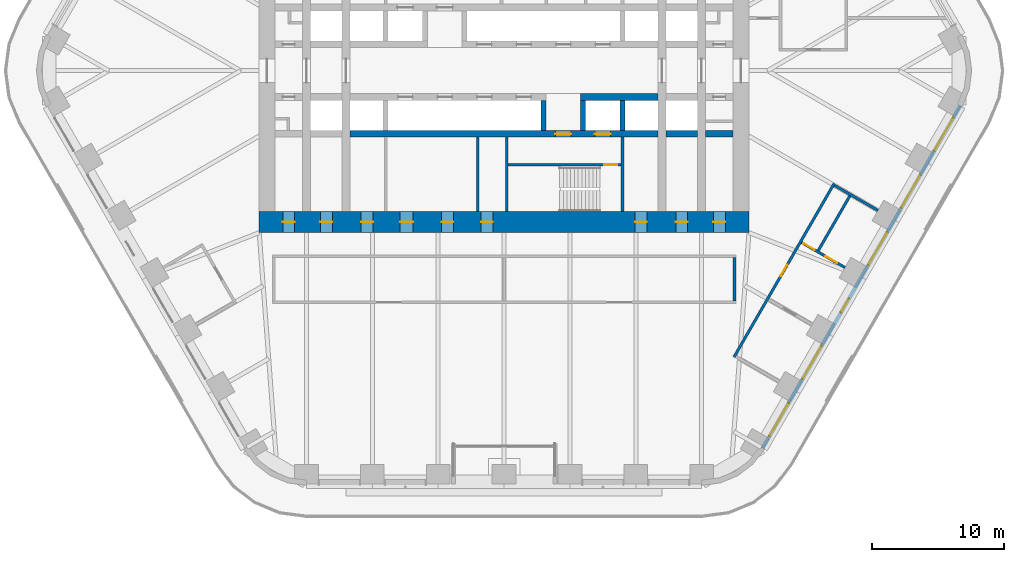
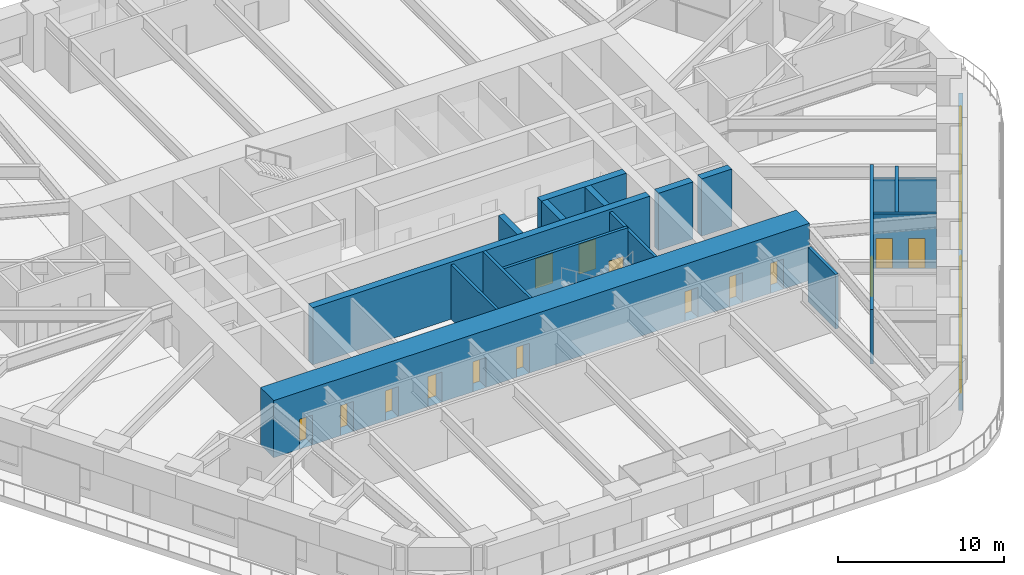
# One storey, part 18 of 24: 18 walls, 16 doors, 5 windows, 21 openings.
"""IFC4 building model written with IfcOpenShell, lengths in metres."""

from ifc_helpers import new_model, si_unit, direction, frame, frame_2d, origin, place, context, subcontext, project, spatial, rectangle, extrude, material, layer, layer_set, type_object, element, fill, save


model = new_model("IFC4")

# Units and contexts
model_context = context("Model", 3, precision=1e-05, world=origin(), true_north=direction((0.0, 1.0)))
body_context = subcontext(model_context, "Body", "Model", "MODEL_VIEW")
ifc_project = project(units=[si_unit("LENGTHUNIT", "METRE"), si_unit("AREAUNIT", "SQUARE_METRE"), si_unit("VOLUMEUNIT", "CUBIC_METRE"), si_unit("PLANEANGLEUNIT", "RADIAN"), si_unit("MASSUNIT", "GRAM", prefix="KILO")], contexts=[model_context])

# Site, building, storey
site_placement = place(None, origin())
site = spatial("IfcSite", under=ifc_project, at=site_placement, CompositionType="ELEMENT")
building_placement = place(site_placement, origin())
building = spatial("IfcBuilding", under=site, at=building_placement, Name="Tarfa Lantern Tower", CompositionType="ELEMENT")
storey_placement = place(building_placement, frame((0.0, 0.0, 132.10009765625)))
storey = spatial("IfcBuildingStorey", under=building, at=storey_placement, Name="L29", CompositionType="ELEMENT", Elevation=132.10009765625)

# Wall, openings, door, windows
ifc_material_1 = material(Name="Limestone cladding on blockwork", Category="masonry")
ifc_layer_1 = layer(ifc_material_1, 0.300048828125)
ifc_layer_set_1 = layer_set([ifc_layer_1], Name="EW1 STONE-CLAD WALL 300")
wall_type_1 = type_object("IfcWallType", Name="EW1 STONE-CLAD WALL 300", PredefinedType="SOLIDWALL", material=ifc_layer_set_1)
wall_1_placement = place(storey_placement, frame((19.644287109375, -28.675048828125, 0.0), z_axis=(0.0, 0.0, 1.0), x_axis=(0.500003084452, 0.866023622968, 0.0)))
wall_1 = element("IfcWall", 1, at=wall_1_placement, inside=storey, type_object=wall_type_1, Name="Stone wall SE", PredefinedType="SOLIDWALL", context=body_context, shape_type="SweptSolid", body=[
    extrude(rectangle(XDim=30.022216796875, YDim=0.300048828125, at=frame_2d((15.01123046875, 0.0))), origin(), (0.0, 0.0, 1.0), 2.2998046875),
])
opening_1_placement = place(wall_1_placement, frame((1.0517578125, 0.0, 0.60009765625)))
opening_1 = element("IfcOpeningElement", 2, at=opening_1_placement, cuts=wall_1, Name="Opening W8", PredefinedType="OPENING", context=body_context, shape_type="SweptSolid", body=[
    extrude(rectangle(XDim=2.89990234375, YDim=1.449951171875, at=frame_2d((1.449951171875, 0.72509765625))), frame((0.0, 0.159912109375, 0.0), z_axis=(0.0, -1.0, 0.0), x_axis=(1.0, 0.0, 0.0)), (0.0, 0.0, 1.0), 0.320068359375),
])
opening_2_placement = place(wall_1_placement, frame((6.0556640625, 0.0, 0.60009765625)))
opening_2 = element("IfcOpeningElement", 3, at=opening_2_placement, cuts=wall_1, Name="Opening W8", PredefinedType="OPENING", context=body_context, shape_type="SweptSolid", body=[
    extrude(rectangle(XDim=2.89990234375, YDim=1.449951171875, at=frame_2d((1.449951171875, 0.72509765625))), frame((0.0, 0.159912109375, 0.0), z_axis=(0.0, -1.0, 0.0), x_axis=(1.0, 0.0, 0.0)), (0.0, 0.0, 1.0), 0.320068359375),
])
opening_3_placement = place(wall_1_placement, frame((11.9091796875, 0.0, 0.0)))
opening_3 = element("IfcOpeningElement", 4, at=opening_3_placement, cuts=wall_1, Name="Opening D49", PredefinedType="OPENING", context=body_context, shape_type="SweptSolid", body=[
    extrude(rectangle(XDim=1.199951171875, YDim=2.199951171875, at=frame_2d((0.60009765625, 1.10009765625))), frame((0.0, 0.159912109375, 0.0), z_axis=(0.0, -1.0, 0.0), x_axis=(1.0, 0.0, 0.0)), (0.0, 0.0, 1.0), 0.320068359375),
])
opening_4_placement = place(wall_1_placement, frame((16.06298828125, 0.0, 0.60009765625)))
opening_4 = element("IfcOpeningElement", 5, at=opening_4_placement, cuts=wall_1, Name="Opening W8", PredefinedType="OPENING", context=body_context, shape_type="SweptSolid", body=[
    extrude(rectangle(XDim=2.89990234375, YDim=1.449951171875, at=frame_2d((1.449951171875, 0.72509765625))), frame((0.0, 0.159912109375, 0.0), z_axis=(0.0, -1.0, 0.0), x_axis=(1.0, 0.0, 0.0)), (0.0, 0.0, 1.0), 0.320068359375),
])
opening_5_placement = place(wall_1_placement, frame((21.066650390625, 0.0, 0.60009765625)))
opening_5 = element("IfcOpeningElement", 6, at=opening_5_placement, cuts=wall_1, Name="Opening W8", PredefinedType="OPENING", context=body_context, shape_type="SweptSolid", body=[
    extrude(rectangle(XDim=2.89990234375, YDim=1.449951171875, at=frame_2d((1.449951171875, 0.72509765625))), frame((0.0, 0.159912109375, 0.0), z_axis=(0.0, -1.0, 0.0), x_axis=(1.0, 0.0, 0.0)), (0.0, 0.0, 1.0), 0.320068359375),
])
opening_6_placement = place(wall_1_placement, frame((26.0703125, 0.0, 0.60009765625)))
opening_6 = element("IfcOpeningElement", 7, at=opening_6_placement, cuts=wall_1, Name="Opening W8", PredefinedType="OPENING", context=body_context, shape_type="SweptSolid", body=[
    extrude(rectangle(XDim=2.89990234375, YDim=1.449951171875, at=frame_2d((1.449951171875, 0.72509765625))), frame((0.0, 0.159912109375, 0.0), z_axis=(0.0, -1.0, 0.0), x_axis=(1.0, 0.0, 0.0)), (0.0, 0.0, 1.0), 0.320068359375),
])
ifc_material_2 = material(Name="Aluminium framed glazed door", Category="aluminium")
door_type_1 = type_object("IfcDoorType", Name="BE5 BALCONY DOOR 1200x2200", OperationType="SINGLE_SWING_RIGHT", PredefinedType="DOOR", material=ifc_material_2)
door_1_placement = place(opening_3_placement, origin())
door_1 = element("IfcDoor", 8, at=door_1_placement, inside=storey, type_object=door_type_1, Name="Balcony door SE", OperationType="SINGLE_SWING_RIGHT", OverallHeight=2.199951171875, OverallWidth=1.199951171875, PredefinedType="DOOR", context=body_context, shape_type="SweptSolid", body=[
    extrude(rectangle(XDim=1.199951171875, YDim=2.199951171875, at=frame_2d((0.60009765625, 1.10009765625))), frame((0.0, 0.02490234375, 0.0), z_axis=(0.0, -1.0, 0.0), x_axis=(1.0, 0.0, 0.0)), (0.0, 0.0, 1.0), 0.050048828125),
])
fill(opening_3, door_1)
ifc_material_3 = material(Name="Aluminium frame, double glazed", Category="aluminium")
window_type = type_object("IfcWindowType", Name="W8 FULL-HEIGHT GLAZING 2900x1450", PartitioningType="SINGLE_PANEL", PredefinedType="WINDOW", material=ifc_material_3)
window_1_placement = place(opening_1_placement, origin())
window_1 = element("IfcWindow", 9, at=window_1_placement, inside=storey, type_object=window_type, Name="Window SE 1", OverallHeight=1.449951171875, OverallWidth=2.89990234375, PartitioningType="SINGLE_PANEL", PredefinedType="WINDOW", context=body_context, shape_type="SweptSolid", body=[
    extrude(rectangle(XDim=2.89990234375, YDim=1.449951171875, at=frame_2d((1.449951171875, 0.72509765625))), frame((0.0, 0.030029296875, 0.0), z_axis=(0.0, -1.0, 0.0), x_axis=(1.0, 0.0, 0.0)), (0.0, 0.0, 1.0), 0.06005859375),
])
fill(opening_1, window_1)
window_2_placement = place(opening_2_placement, origin())
window_2 = element("IfcWindow", 10, at=window_2_placement, inside=storey, type_object=window_type, Name="Window SE 2", OverallHeight=1.449951171875, OverallWidth=2.89990234375, PartitioningType="SINGLE_PANEL", PredefinedType="WINDOW", context=body_context, shape_type="SweptSolid", body=[
    extrude(rectangle(XDim=2.89990234375, YDim=1.449951171875, at=frame_2d((1.449951171875, 0.72509765625))), frame((0.0, 0.030029296875, 0.0), z_axis=(0.0, -1.0, 0.0), x_axis=(1.0, 0.0, 0.0)), (0.0, 0.0, 1.0), 0.06005859375),
])
fill(opening_2, window_2)
window_3_placement = place(opening_4_placement, origin())
window_3 = element("IfcWindow", 11, at=window_3_placement, inside=storey, type_object=window_type, Name="Window SE 4", OverallHeight=1.449951171875, OverallWidth=2.89990234375, PartitioningType="SINGLE_PANEL", PredefinedType="WINDOW", context=body_context, shape_type="SweptSolid", body=[
    extrude(rectangle(XDim=2.89990234375, YDim=1.449951171875, at=frame_2d((1.449951171875, 0.72509765625))), frame((0.0, 0.030029296875, 0.0), z_axis=(0.0, -1.0, 0.0), x_axis=(1.0, 0.0, 0.0)), (0.0, 0.0, 1.0), 0.06005859375),
])
fill(opening_4, window_3)
window_4_placement = place(opening_5_placement, origin())
window_4 = element("IfcWindow", 12, at=window_4_placement, inside=storey, type_object=window_type, Name="Window SE 5", OverallHeight=1.449951171875, OverallWidth=2.89990234375, PartitioningType="SINGLE_PANEL", PredefinedType="WINDOW", context=body_context, shape_type="SweptSolid", body=[
    extrude(rectangle(XDim=2.89990234375, YDim=1.449951171875, at=frame_2d((1.449951171875, 0.72509765625))), frame((0.0, 0.030029296875, 0.0), z_axis=(0.0, -1.0, 0.0), x_axis=(1.0, 0.0, 0.0)), (0.0, 0.0, 1.0), 0.06005859375),
])
fill(opening_5, window_4)
window_5_placement = place(opening_6_placement, origin())
window_5 = element("IfcWindow", 13, at=window_5_placement, inside=storey, type_object=window_type, Name="Window SE 6", OverallHeight=1.449951171875, OverallWidth=2.89990234375, PartitioningType="SINGLE_PANEL", PredefinedType="WINDOW", context=body_context, shape_type="SweptSolid", body=[
    extrude(rectangle(XDim=2.89990234375, YDim=1.449951171875, at=frame_2d((1.449951171875, 0.72509765625))), frame((0.0, 0.030029296875, 0.0), z_axis=(0.0, -1.0, 0.0), x_axis=(1.0, 0.0, 0.0)), (0.0, 0.0, 1.0), 0.06005859375),
])
fill(opening_6, window_5)

# Walls
ifc_material_4 = material(Name="Concrete blockwork", Category="masonry")
ifc_layer_2 = layer(ifc_material_4, 0.199951171875)
ifc_layer_set_2 = layer_set([ifc_layer_2], Name="IW1 BLOCKWORK PARTITION 200 EI 120")
wall_type_2 = type_object("IfcWallType", Name="IW1 BLOCKWORK PARTITION 200 EI 120", PredefinedType="PARTITIONING", material=ifc_layer_set_2)
for number, where, z_axis, x_axis, name in (
    (14, (9.0, -5.050048828125, 0.0), (0.0, 0.0, 1.0), (0.0, -1.0, 0.0), "Core partition"),
    (15, (-2.0, -5.050048828125, 0.0), (0.0, 0.0, 1.0), (0.0, -1.0, 0.0), "Core partition"),
):
    element("IfcWall", number, at=place(storey_placement, frame(where, z_axis=z_axis, x_axis=x_axis)), inside=storey, type_object=wall_type_2, Name=name, PredefinedType="PARTITIONING", context=body_context, shape_type="SweptSolid", body=[
        extrude(rectangle(XDim=5.64990234375, YDim=0.199951171875, at=frame_2d((2.824951171875, 0.0))), origin(), (0.0, 0.0, 1.0), 4.0),
    ])
ifc_material_5 = material(Name="Gypsum board on steel studs", Category="steel")
ifc_layer_3 = layer(ifc_material_5, 0.2099609375)
ifc_layer_set_3 = layer_set([ifc_layer_3], Name="IW2 ACOUSTIC PARTITION 200")
wall_type_3 = type_object("IfcWallType", Name="IW2 ACOUSTIC PARTITION 200", PredefinedType="PARTITIONING", material=ifc_layer_set_3)
wall_2_placement = place(storey_placement, frame((17.5, -14.199951171875, 0.0), z_axis=(0.0, 0.0, 1.0), x_axis=(0.0, -1.0, 0.0)))
element("IfcWall", 16, at=wall_2_placement, inside=storey, type_object=wall_type_3, Name="Partition", PredefinedType="PARTITIONING", context=body_context, shape_type="SweptSolid", body=[
    extrude(rectangle(XDim=3.300048828125, YDim=0.199951171875, at=frame_2d((1.64990234375, 0.0))), origin(), (0.0, 0.0, 1.0), 4.0),
])

# Wall, opening, door
wall_3_placement = place(storey_placement, frame((17.462890625, -21.753173828125, 0.0), z_axis=(0.0, 0.0, 1.0), x_axis=(0.500010972563, 0.86601906868, 0.0)))
wall_3 = element("IfcWall", 17, at=wall_3_placement, inside=storey, type_object=wall_type_3, Name="Partition", PredefinedType="PARTITIONING", context=body_context, shape_type="SweptSolid", body=[
    extrude(rectangle(XDim=15.211181640625, YDim=0.199951171875, at=frame_2d((7.60546875, 0.0))), origin(), (0.0, 0.0, 1.0), 4.0),
])
opening_7_placement = place(wall_3_placement, frame((7.10546875, 0.0, 0.0)))
opening_7 = element("IfcOpeningElement", 18, at=opening_7_placement, cuts=wall_3, Name="Opening D38", PredefinedType="OPENING", context=body_context, shape_type="SweptSolid", body=[
    extrude(rectangle(XDim=1.0, YDim=2.199951171875, at=frame_2d((0.5, 1.10009765625))), frame((0.0, 0.10986328125, 0.0), z_axis=(0.0, -1.0, 0.0), x_axis=(1.0, 0.0, 0.0)), (0.0, 0.0, 1.0), 0.219970703125),
])
ifc_material_6 = material(Name="Timber door", Category="wood")
door_type_2 = type_object("IfcDoorType", Name="DR1 ROOM DOOR 1000x2200", OperationType="SINGLE_SWING_LEFT", PredefinedType="DOOR", material=ifc_material_6)
door_2_placement = place(opening_7_placement, frame((1.0, 0.0, 0.0), z_axis=(0.0, 0.0, 1.0), x_axis=(-1.0, 0.0, 0.0)))
door_2 = element("IfcDoor", 19, at=door_2_placement, inside=storey, type_object=door_type_2, Name="Finance reception door", OperationType="SINGLE_SWING_LEFT", OverallHeight=2.199951171875, OverallWidth=1.0, PredefinedType="DOOR", context=body_context, shape_type="SweptSolid", body=[
    extrude(rectangle(XDim=1.0, YDim=2.199951171875, at=frame_2d((0.5, 1.10009765625))), frame((0.0, 0.02490234375, 0.0), z_axis=(0.0, -1.0, 0.0), x_axis=(1.0, 0.0, 0.0)), (0.0, 0.0, 1.0), 0.050048828125),
])
fill(opening_7, door_2)

# Wall, openings, doors
wall_4_placement = place(storey_placement, frame((22.603271484375, -13.050048828125, 0.0), z_axis=(0.0, 0.0, 1.0), x_axis=(0.866028304915, -0.499994975061, 0.0)))
wall_4 = element("IfcWall", 20, at=wall_4_placement, inside=storey, type_object=wall_type_3, Name="Partition", PredefinedType="PARTITIONING", context=body_context, shape_type="SweptSolid", body=[
    extrude(rectangle(XDim=3.7998046875, YDim=0.199951171875, at=frame_2d((1.89990234375, 0.0))), origin(), (0.0, 0.0, 1.0), 4.0),
])
opening_8_placement = place(wall_4_placement, frame((0.14990234375, 0.0, 0.0)))
opening_8 = element("IfcOpeningElement", 21, at=opening_8_placement, cuts=wall_4, Name="Opening D39", PredefinedType="OPENING", context=body_context, shape_type="SweptSolid", body=[
    extrude(rectangle(XDim=1.0, YDim=2.199951171875, at=frame_2d((0.5, 1.10009765625))), frame((0.0, 0.10986328125, 0.0), z_axis=(0.0, -1.0, 0.0), x_axis=(1.0, 0.0, 0.0)), (0.0, 0.0, 1.0), 0.219970703125),
])
opening_9_placement = place(wall_4_placement, frame((2.10009765625, 0.0, 0.0)))
opening_9 = element("IfcOpeningElement", 22, at=opening_9_placement, cuts=wall_4, Name="Opening D40", PredefinedType="OPENING", context=body_context, shape_type="SweptSolid", body=[
    extrude(rectangle(XDim=1.0, YDim=2.199951171875, at=frame_2d((0.5, 1.10009765625))), frame((0.0, 0.10986328125, 0.0), z_axis=(0.0, -1.0, 0.0), x_axis=(1.0, 0.0, 0.0)), (0.0, 0.0, 1.0), 0.219970703125),
])
door_3_placement = place(opening_8_placement, origin())
door_3 = element("IfcDoor", 23, at=door_3_placement, inside=storey, type_object=door_type_2, Name="Finance meeting room door", OperationType="SINGLE_SWING_RIGHT", OverallHeight=2.199951171875, OverallWidth=1.0, PredefinedType="DOOR", context=body_context, shape_type="SweptSolid", body=[
    extrude(rectangle(XDim=1.0, YDim=2.199951171875, at=frame_2d((0.5, 1.10009765625))), frame((0.0, 0.02490234375, 0.0), z_axis=(0.0, -1.0, 0.0), x_axis=(1.0, 0.0, 0.0)), (0.0, 0.0, 1.0), 0.050048828125),
])
fill(opening_8, door_3)
door_4_placement = place(opening_9_placement, origin())
door_4 = element("IfcDoor", 24, at=door_4_placement, inside=storey, type_object=door_type_2, Name="Finance office door", OperationType="SINGLE_SWING_RIGHT", OverallHeight=2.199951171875, OverallWidth=1.0, PredefinedType="DOOR", context=body_context, shape_type="SweptSolid", body=[
    extrude(rectangle(XDim=1.0, YDim=2.199951171875, at=frame_2d((0.5, 1.10009765625))), frame((0.0, 0.02490234375, 0.0), z_axis=(0.0, -1.0, 0.0), x_axis=(1.0, 0.0, 0.0)), (0.0, 0.0, 1.0), 0.050048828125),
])
fill(opening_9, door_4)

# Walls
wall_5_placement = place(storey_placement, frame((25.105224609375, -8.716552734375, 0.0), z_axis=(0.0, 0.0, 1.0), x_axis=(0.866000483506, -0.500043160704, 0.0)))
element("IfcWall", 25, at=wall_5_placement, inside=storey, type_object=wall_type_3, Name="Partition", PredefinedType="PARTITIONING", context=body_context, shape_type="SweptSolid", body=[
    extrude(rectangle(XDim=3.800048828125, YDim=0.199951171875, at=frame_2d((1.89990234375, 0.0))), origin(), (0.0, 0.0, 1.0), 3.08154296875),
])
wall_6_placement = place(storey_placement, frame((23.86572265625, -13.663330078125, 0.0), z_axis=(0.0, 0.0, 1.0), x_axis=(0.499998147991, 0.86602647304, 0.0)))
element("IfcWall", 26, at=wall_6_placement, inside=storey, type_object=wall_type_3, Name="Partition", PredefinedType="PARTITIONING", context=body_context, shape_type="SweptSolid", body=[
    extrude(rectangle(XDim=4.8037109375, YDim=0.199951171875, at=frame_2d((2.40185546875, 0.0))), origin(), (0.0, 0.0, 1.0), 4.0),
])
ifc_material_7 = material(Name="Concrete C80/95", Category="concrete")
ifc_layer_4 = layer(ifc_material_7, 0.199951171875)
ifc_layer_set_4 = layer_set([ifc_layer_4], Name="SW12 CORE WALL 200")
wall_type_4 = type_object("IfcWallType", Name="SW12 CORE WALL 200", PredefinedType="SHEAR", material=ifc_layer_set_4)
wall_7_placement = place(storey_placement, frame((0.199951171875, -5.050048828125, 0.0), z_axis=(0.0, 0.0, 1.0), x_axis=(0.0, -1.0, 0.0)))
element("IfcWall", 27, at=wall_7_placement, inside=storey, type_object=wall_type_4, Name="Core wall stair shaft S", PredefinedType="SHEAR", context=body_context, shape_type="SweptSolid", body=[
    extrude(rectangle(XDim=5.64990234375, YDim=0.199951171875, at=frame_2d((2.824951171875, 0.0))), origin(), (0.0, 0.0, 1.0), 4.199951171875),
])

# Wall, opening, door
wall_8_placement = place(storey_placement, frame((8.89990234375, -7.14990234375, 0.0), z_axis=(0.0, 0.0, 1.0), x_axis=(-1.0, 0.0, 0.0)))
wall_8 = element("IfcWall", 28, at=wall_8_placement, inside=storey, type_object=wall_type_4, Name="Core wall stair partition S", PredefinedType="SHEAR", context=body_context, shape_type="SweptSolid", body=[
    extrude(rectangle(XDim=8.599853515625, YDim=0.199951171875, at=frame_2d((4.2998046875, 0.0))), origin(), (0.0, 0.0, 1.0), 4.199951171875),
])
opening_10_placement = place(wall_8_placement, frame((0.300048828125, 0.0, 0.0)))
opening_10 = element("IfcOpeningElement", 29, at=opening_10_placement, cuts=wall_8, Name="Opening D28", PredefinedType="OPENING", context=body_context, shape_type="SweptSolid", body=[
    extrude(rectangle(XDim=1.0, YDim=2.199951171875, at=frame_2d((0.5, 1.10009765625))), frame((0.0, 0.10986328125, 0.0), z_axis=(0.0, -1.0, 0.0), x_axis=(1.0, 0.0, 0.0)), (0.0, 0.0, 1.0), 0.219970703125),
])
ifc_material_8 = material(Name="Steel fire door", Category="steel")
door_type_3 = type_object("IfcDoorType", Name="DF2 STAIR DOOR 1000x2200", OperationType="SINGLE_SWING_LEFT", PredefinedType="DOOR", material=ifc_material_8)
door_5_placement = place(opening_10_placement, origin())
door_5 = element("IfcDoor", 30, at=door_5_placement, inside=storey, type_object=door_type_3, Name="Stair door", OperationType="SINGLE_SWING_RIGHT", OverallHeight=2.199951171875, OverallWidth=1.0, PredefinedType="DOOR", context=body_context, shape_type="SweptSolid", body=[
    extrude(rectangle(XDim=1.0, YDim=2.199951171875, at=frame_2d((0.5, 1.10009765625))), frame((0.0, 0.02490234375, 0.0), z_axis=(0.0, -1.0, 0.0), x_axis=(1.0, 0.0, 0.0)), (0.0, 0.0, 1.0), 0.050048828125),
])
fill(opening_10, door_5)

# Walls
ifc_layer_5 = layer(ifc_material_7, 0.5)
ifc_layer_set_5 = layer_set([ifc_layer_5], Name="SW5 CORE WALL 500")
wall_type_5 = type_object("IfcWallType", Name="SW5 CORE WALL 500", PredefinedType="SHEAR", material=ifc_layer_set_5)
wall_9_placement = place(storey_placement, frame((11.699951171875, -2.0, 0.0), z_axis=(0.0, 0.0, 1.0), x_axis=(-1.0, 0.0, 0.0)))
element("IfcWall", 31, at=wall_9_placement, inside=storey, type_object=wall_type_5, Name="Core wall lobby west S", PredefinedType="SHEAR", context=body_context, shape_type="SweptSolid", body=[
    extrude(rectangle(XDim=5.89990234375, YDim=0.5, at=frame_2d((2.949951171875, 0.0))), origin(), (0.0, 0.0, 1.0), 4.199951171875),
])
wall_10_placement = place(storey_placement, frame((17.39990234375, -4.800048828125, 0.0), z_axis=(0.0, 0.0, 1.0), x_axis=(-1.0, 0.0, 0.0)))
element("IfcWall", 32, at=wall_10_placement, inside=storey, type_object=wall_type_5, Name="Core wall rear S", PredefinedType="SHEAR", context=body_context, shape_type="SweptSolid", body=[
    extrude(rectangle(XDim=2.099853515625, YDim=0.5, at=frame_2d((1.0498046875, 0.0))), origin(), (0.0, 0.0, 1.0), 4.199951171875),
])
wall_11_placement = place(storey_placement, frame((14.699951171875, -4.800048828125, 0.0), z_axis=(0.0, 0.0, 1.0), x_axis=(-1.0, 0.0, 0.0)))
element("IfcWall", 33, at=wall_11_placement, inside=storey, type_object=wall_type_5, Name="Core wall rear S", PredefinedType="SHEAR", context=body_context, shape_type="SweptSolid", body=[
    extrude(rectangle(XDim=2.39990234375, YDim=0.5, at=frame_2d((1.199951171875, 0.0))), origin(), (0.0, 0.0, 1.0), 4.199951171875),
])

# Wall, openings, doors
wall_12_placement = place(storey_placement, frame((11.699951171875, -4.800048828125, 0.0), z_axis=(0.0, 0.0, 1.0), x_axis=(-1.0, 0.0, 0.0)))
wall_12 = element("IfcWall", 34, at=wall_12_placement, inside=storey, type_object=wall_type_5, Name="Core wall rear S", PredefinedType="SHEAR", context=body_context, shape_type="SweptSolid", body=[
    extrude(rectangle(XDim=23.39990234375, YDim=0.5, at=frame_2d((11.699951171875, 0.0))), origin(), (0.0, 0.0, 1.0), 4.199951171875),
])
opening_11_placement = place(wall_12_placement, frame((6.60009765625, 0.0, 0.0)))
opening_11 = element("IfcOpeningElement", 35, at=opening_11_placement, cuts=wall_12, Name="Opening D14", PredefinedType="OPENING", context=body_context, shape_type="SweptSolid", body=[
    extrude(rectangle(XDim=1.199951171875, YDim=2.199951171875, at=frame_2d((0.60009765625, 1.10009765625))), frame((0.0, 0.260009765625, 0.0), z_axis=(0.0, -1.0, 0.0), x_axis=(1.0, 0.0, 0.0)), (0.0, 0.0, 1.0), 0.52001953125),
])
opening_12_placement = place(wall_12_placement, frame((3.60009765625, 0.0, 0.0)))
opening_12 = element("IfcOpeningElement", 36, at=opening_12_placement, cuts=wall_12, Name="Opening LD02", PredefinedType="OPENING", context=body_context, shape_type="SweptSolid", body=[
    extrude(rectangle(XDim=1.199951171875, YDim=2.199951171875, at=frame_2d((0.60009765625, 1.10009765625))), frame((0.0, 0.260009765625, 0.0), z_axis=(0.0, -1.0, 0.0), x_axis=(1.0, 0.0, 0.0)), (0.0, 0.0, 1.0), 0.52001953125),
])
door_type_4 = type_object("IfcDoorType", Name="DF1 FIREFIGHTING LOBBY DOOR 1200x2200", OperationType="SINGLE_SWING_LEFT", PredefinedType="DOOR", material=ifc_material_8)
door_6_placement = place(opening_11_placement, origin())
door_6 = element("IfcDoor", 37, at=door_6_placement, inside=storey, type_object=door_type_4, Name="Firefighting lobby door", OperationType="SINGLE_SWING_LEFT", OverallHeight=2.199951171875, OverallWidth=1.199951171875, PredefinedType="DOOR", context=body_context, shape_type="SweptSolid", body=[
    extrude(rectangle(XDim=1.199951171875, YDim=2.199951171875, at=frame_2d((0.60009765625, 1.10009765625))), frame((0.0, 0.02490234375, 0.0), z_axis=(0.0, -1.0, 0.0), x_axis=(1.0, 0.0, 0.0)), (0.0, 0.0, 1.0), 0.050048828125),
])
fill(opening_11, door_6)
ifc_material_9 = material(Name="Stainless steel lift door", Category="steel")
door_type_5 = type_object("IfcDoorType", Name="LD1 LIFT LANDING DOOR 1200x2200", OperationType="SLIDING_TO_LEFT", PredefinedType="DOOR", material=ifc_material_9)
door_7_placement = place(opening_12_placement, origin())
door_7 = element("IfcDoor", 38, at=door_7_placement, inside=storey, type_object=door_type_5, Name="Landing door FL2", OperationType="SLIDING_TO_LEFT", OverallHeight=2.199951171875, OverallWidth=1.199951171875, PredefinedType="DOOR", context=body_context, shape_type="SweptSolid", body=[
    extrude(rectangle(XDim=1.199951171875, YDim=2.199951171875, at=frame_2d((0.60009765625, 1.10009765625))), frame((0.0, 0.02490234375, 0.0), z_axis=(0.0, -1.0, 0.0), x_axis=(1.0, 0.0, 0.0)), (0.0, 0.0, 1.0), 0.050048828125),
])
fill(opening_12, door_7)

# Walls
ifc_layer_6 = layer(ifc_material_7, 0.39990234375)
ifc_layer_set_6 = layer_set([ifc_layer_6], Name="SW6 CORE WALL 400")
wall_type_6 = type_object("IfcWallType", Name="SW6 CORE WALL 400", PredefinedType="SHEAR", material=ifc_layer_set_6)
for number, where, z_axis, x_axis, name in (
    (39, (9.0, -2.25, 0.0), (0.0, 0.0, 1.0), (0.0, -1.0, 0.0), "Core wall divider S"),
    (40, (6.0, -2.25, 0.0), (0.0, 0.0, 1.0), (0.0, -1.0, 0.0), "Core wall divider S"),
    (41, (3.0, -2.25, 0.0), (0.0, 0.0, 1.0), (0.0, -1.0, 0.0), "Core wall divider S"),
):
    element("IfcWall", number, at=place(storey_placement, frame(where, z_axis=z_axis, x_axis=x_axis)), inside=storey, type_object=wall_type_6, Name=name, PredefinedType="SHEAR", context=body_context, shape_type="SweptSolid", body=[
        extrude(rectangle(XDim=2.300048828125, YDim=0.39990234375, at=frame_2d((1.14990234375, 0.0))), origin(), (0.0, 0.0, 1.0), 4.199951171875),
    ])

# Wall, openings, doors
ifc_layer_7 = layer(ifc_material_7, 1.60009765625)
ifc_layer_set_7 = layer_set([ifc_layer_7], Name="SW7 CORE WALL 1600")
wall_type_7 = type_object("IfcWallType", Name="SW7 CORE WALL 1600", PredefinedType="SHEAR", material=ifc_layer_set_7)
wall_13_placement = place(storey_placement, frame((18.60009765625, -11.5, 0.0), z_axis=(0.0, 0.0, 1.0), x_axis=(-1.0, 0.0, 0.0)))
wall_13 = element("IfcWall", 42, at=wall_13_placement, inside=storey, type_object=wall_type_7, Name="Core wall S", PredefinedType="SHEAR", context=body_context, shape_type="SweptSolid", body=[
    extrude(rectangle(XDim=37.2001953125, YDim=1.60009765625, at=frame_2d((18.60009765625, 0.0))), origin(), (0.0, 0.0, 1.0), 4.199951171875),
])
opening_13_placement = place(wall_13_placement, frame((19.449951171875, 0.0, 0.0)))
opening_13 = element("IfcOpeningElement", 43, at=opening_13_placement, cuts=wall_13, Name="Opening D22", PredefinedType="OPENING", context=body_context, shape_type="SweptSolid", body=[
    extrude(rectangle(XDim=0.89990234375, YDim=2.199951171875, at=frame_2d((0.449951171875, 1.10009765625))), frame((0.0, 0.81005859375, 0.0), z_axis=(0.0, -1.0, 0.0), x_axis=(1.0, 0.0, 0.0)), (0.0, 0.0, 1.0), 1.6201171875),
])
opening_14_placement = place(wall_13_placement, frame((22.449951171875, 0.0, 0.0)))
opening_14 = element("IfcOpeningElement", 44, at=opening_14_placement, cuts=wall_13, Name="Opening D24", PredefinedType="OPENING", context=body_context, shape_type="SweptSolid", body=[
    extrude(rectangle(XDim=0.89990234375, YDim=2.199951171875, at=frame_2d((0.449951171875, 1.10009765625))), frame((0.0, 0.81005859375, 0.0), z_axis=(0.0, -1.0, 0.0), x_axis=(1.0, 0.0, 0.0)), (0.0, 0.0, 1.0), 1.6201171875),
])
opening_15_placement = place(wall_13_placement, frame((25.5, 0.0, 0.0)))
opening_15 = element("IfcOpeningElement", 45, at=opening_15_placement, cuts=wall_13, Name="Opening D26", PredefinedType="OPENING", context=body_context, shape_type="SweptSolid", body=[
    extrude(rectangle(XDim=1.0, YDim=2.199951171875, at=frame_2d((0.5, 1.10009765625))), frame((0.0, 0.81005859375, 0.0), z_axis=(0.0, -1.0, 0.0), x_axis=(1.0, 0.0, 0.0)), (0.0, 0.0, 1.0), 1.6201171875),
])
opening_16_placement = place(wall_13_placement, frame((1.800048828125, 0.0, 0.0)))
opening_16 = element("IfcOpeningElement", 46, at=opening_16_placement, cuts=wall_13, Name="Opening D12", PredefinedType="OPENING", context=body_context, shape_type="SweptSolid", body=[
    extrude(rectangle(XDim=0.89990234375, YDim=2.199951171875, at=frame_2d((0.449951171875, 1.10009765625))), frame((0.0, 0.81005859375, 0.0), z_axis=(0.0, -1.0, 0.0), x_axis=(1.0, 0.0, 0.0)), (0.0, 0.0, 1.0), 1.6201171875),
])
opening_17_placement = place(wall_13_placement, frame((4.64990234375, 0.0, 0.0)))
opening_17 = element("IfcOpeningElement", 47, at=opening_17_placement, cuts=wall_13, Name="Opening D08", PredefinedType="OPENING", context=body_context, shape_type="SweptSolid", body=[
    extrude(rectangle(XDim=0.89990234375, YDim=2.199951171875, at=frame_2d((0.449951171875, 1.10009765625))), frame((0.0, 0.81005859375, 0.0), z_axis=(0.0, -1.0, 0.0), x_axis=(1.0, 0.0, 0.0)), (0.0, 0.0, 1.0), 1.6201171875),
])
opening_18_placement = place(wall_13_placement, frame((7.75, 0.0, 0.0)))
opening_18 = element("IfcOpeningElement", 48, at=opening_18_placement, cuts=wall_13, Name="Opening D10", PredefinedType="OPENING", context=body_context, shape_type="SweptSolid", body=[
    extrude(rectangle(XDim=0.89990234375, YDim=2.199951171875, at=frame_2d((0.449951171875, 1.10009765625))), frame((0.0, 0.81005859375, 0.0), z_axis=(0.0, -1.0, 0.0), x_axis=(1.0, 0.0, 0.0)), (0.0, 0.0, 1.0), 1.6201171875),
])
opening_19_placement = place(wall_13_placement, frame((28.550048828125, 0.0, 0.0)))
opening_19 = element("IfcOpeningElement", 49, at=opening_19_placement, cuts=wall_13, Name="Opening D06", PredefinedType="OPENING", context=body_context, shape_type="SweptSolid", body=[
    extrude(rectangle(XDim=0.89990234375, YDim=2.199951171875, at=frame_2d((0.449951171875, 1.10009765625))), frame((0.0, 0.81005859375, 0.0), z_axis=(0.0, -1.0, 0.0), x_axis=(1.0, 0.0, 0.0)), (0.0, 0.0, 1.0), 1.6201171875),
])
opening_20_placement = place(wall_13_placement, frame((31.64990234375, 0.0, 0.0)))
opening_20 = element("IfcOpeningElement", 50, at=opening_20_placement, cuts=wall_13, Name="Opening D02", PredefinedType="OPENING", context=body_context, shape_type="SweptSolid", body=[
    extrude(rectangle(XDim=0.89990234375, YDim=2.199951171875, at=frame_2d((0.449951171875, 1.10009765625))), frame((0.0, 0.81005859375, 0.0), z_axis=(0.0, -1.0, 0.0), x_axis=(1.0, 0.0, 0.0)), (0.0, 0.0, 1.0), 1.6201171875),
])
opening_21_placement = place(wall_13_placement, frame((34.5, 0.0, 0.0)))
opening_21 = element("IfcOpeningElement", 51, at=opening_21_placement, cuts=wall_13, Name="Opening D04", PredefinedType="OPENING", context=body_context, shape_type="SweptSolid", body=[
    extrude(rectangle(XDim=0.89990234375, YDim=2.199951171875, at=frame_2d((0.449951171875, 1.10009765625))), frame((0.0, 0.81005859375, 0.0), z_axis=(0.0, -1.0, 0.0), x_axis=(1.0, 0.0, 0.0)), (0.0, 0.0, 1.0), 1.6201171875),
])
door_type_6 = type_object("IfcDoorType", Name="DF3 CORE ROOM DOOR 900x2200", OperationType="SINGLE_SWING_LEFT", PredefinedType="DOOR", material=ifc_material_8)
door_8_placement = place(opening_13_placement, frame((0.89990234375, 0.0, 0.0), z_axis=(0.0, 0.0, 1.0), x_axis=(-1.0, 0.0, 0.0)))
door_8 = element("IfcDoor", 52, at=door_8_placement, inside=storey, type_object=door_type_6, Name="Core door", OperationType="SINGLE_SWING_RIGHT", OverallHeight=2.199951171875, OverallWidth=0.89990234375, PredefinedType="DOOR", context=body_context, shape_type="SweptSolid", body=[
    extrude(rectangle(XDim=0.89990234375, YDim=2.199951171875, at=frame_2d((0.449951171875, 1.10009765625))), frame((0.0, 0.02490234375, 0.0), z_axis=(0.0, -1.0, 0.0), x_axis=(1.0, 0.0, 0.0)), (0.0, 0.0, 1.0), 0.050048828125),
])
fill(opening_13, door_8)
door_9_placement = place(opening_14_placement, frame((0.89990234375, 0.0, 0.0), z_axis=(0.0, 0.0, 1.0), x_axis=(-1.0, 0.0, 0.0)))
door_9 = element("IfcDoor", 53, at=door_9_placement, inside=storey, type_object=door_type_6, Name="Core door", OperationType="SINGLE_SWING_LEFT", OverallHeight=2.199951171875, OverallWidth=0.89990234375, PredefinedType="DOOR", context=body_context, shape_type="SweptSolid", body=[
    extrude(rectangle(XDim=0.89990234375, YDim=2.199951171875, at=frame_2d((0.449951171875, 1.10009765625))), frame((0.0, 0.02490234375, 0.0), z_axis=(0.0, -1.0, 0.0), x_axis=(1.0, 0.0, 0.0)), (0.0, 0.0, 1.0), 0.050048828125),
])
fill(opening_14, door_9)
door_type_7 = type_object("IfcDoorType", Name="DF4 CORE ROOM DOOR 1000x2200", OperationType="SINGLE_SWING_LEFT", PredefinedType="DOOR", material=ifc_material_8)
door_10_placement = place(opening_15_placement, frame((1.0, 0.0, 0.0), z_axis=(0.0, 0.0, 1.0), x_axis=(-1.0, 0.0, 0.0)))
door_10 = element("IfcDoor", 54, at=door_10_placement, inside=storey, type_object=door_type_7, Name="Core door", OperationType="SINGLE_SWING_RIGHT", OverallHeight=2.199951171875, OverallWidth=1.0, PredefinedType="DOOR", context=body_context, shape_type="SweptSolid", body=[
    extrude(rectangle(XDim=1.0, YDim=2.199951171875, at=frame_2d((0.5, 1.10009765625))), frame((0.0, 0.02490234375, 0.0), z_axis=(0.0, -1.0, 0.0), x_axis=(1.0, 0.0, 0.0)), (0.0, 0.0, 1.0), 0.050048828125),
])
fill(opening_15, door_10)
door_type_8 = type_object("IfcDoorType", Name="DF5 RISER DOOR 900x2200", OperationType="SINGLE_SWING_LEFT", PredefinedType="DOOR", material=ifc_material_8)
door_11_placement = place(opening_16_placement, frame((0.89990234375, 0.0, 0.0), z_axis=(0.0, 0.0, 1.0), x_axis=(-1.0, 0.0, 0.0)))
door_11 = element("IfcDoor", 55, at=door_11_placement, inside=storey, type_object=door_type_8, Name="Riser door", OperationType="SINGLE_SWING_LEFT", OverallHeight=2.199951171875, OverallWidth=0.89990234375, PredefinedType="DOOR", context=body_context, shape_type="SweptSolid", body=[
    extrude(rectangle(XDim=0.89990234375, YDim=2.199951171875, at=frame_2d((0.449951171875, 1.10009765625))), frame((0.0, 0.02490234375, 0.0), z_axis=(0.0, -1.0, 0.0), x_axis=(1.0, 0.0, 0.0)), (0.0, 0.0, 1.0), 0.050048828125),
])
fill(opening_16, door_11)
door_12_placement = place(opening_17_placement, frame((0.89990234375, 0.0, 0.0), z_axis=(0.0, 0.0, 1.0), x_axis=(-1.0, 0.0, 0.0)))
door_12 = element("IfcDoor", 56, at=door_12_placement, inside=storey, type_object=door_type_8, Name="Riser door", OperationType="SINGLE_SWING_LEFT", OverallHeight=2.199951171875, OverallWidth=0.89990234375, PredefinedType="DOOR", context=body_context, shape_type="SweptSolid", body=[
    extrude(rectangle(XDim=0.89990234375, YDim=2.199951171875, at=frame_2d((0.449951171875, 1.10009765625))), frame((0.0, 0.02490234375, 0.0), z_axis=(0.0, -1.0, 0.0), x_axis=(1.0, 0.0, 0.0)), (0.0, 0.0, 1.0), 0.050048828125),
])
fill(opening_17, door_12)
door_13_placement = place(opening_18_placement, frame((0.89990234375, 0.0, 0.0), z_axis=(0.0, 0.0, 1.0), x_axis=(-1.0, 0.0, 0.0)))
door_13 = element("IfcDoor", 57, at=door_13_placement, inside=storey, type_object=door_type_8, Name="Riser door", OperationType="SINGLE_SWING_LEFT", OverallHeight=2.199951171875, OverallWidth=0.89990234375, PredefinedType="DOOR", context=body_context, shape_type="SweptSolid", body=[
    extrude(rectangle(XDim=0.89990234375, YDim=2.199951171875, at=frame_2d((0.449951171875, 1.10009765625))), frame((0.0, 0.02490234375, 0.0), z_axis=(0.0, -1.0, 0.0), x_axis=(1.0, 0.0, 0.0)), (0.0, 0.0, 1.0), 0.050048828125),
])
fill(opening_18, door_13)
door_14_placement = place(opening_19_placement, frame((0.89990234375, 0.0, 0.0), z_axis=(0.0, 0.0, 1.0), x_axis=(-1.0, 0.0, 0.0)))
door_14 = element("IfcDoor", 58, at=door_14_placement, inside=storey, type_object=door_type_8, Name="Riser door", OperationType="SINGLE_SWING_RIGHT", OverallHeight=2.199951171875, OverallWidth=0.89990234375, PredefinedType="DOOR", context=body_context, shape_type="SweptSolid", body=[
    extrude(rectangle(XDim=0.89990234375, YDim=2.199951171875, at=frame_2d((0.449951171875, 1.10009765625))), frame((0.0, 0.02490234375, 0.0), z_axis=(0.0, -1.0, 0.0), x_axis=(1.0, 0.0, 0.0)), (0.0, 0.0, 1.0), 0.050048828125),
])
fill(opening_19, door_14)
door_15_placement = place(opening_20_placement, frame((0.89990234375, 0.0, 0.0), z_axis=(0.0, 0.0, 1.0), x_axis=(-1.0, 0.0, 0.0)))
door_15 = element("IfcDoor", 59, at=door_15_placement, inside=storey, type_object=door_type_8, Name="Riser door", OperationType="SINGLE_SWING_RIGHT", OverallHeight=2.199951171875, OverallWidth=0.89990234375, PredefinedType="DOOR", context=body_context, shape_type="SweptSolid", body=[
    extrude(rectangle(XDim=0.89990234375, YDim=2.199951171875, at=frame_2d((0.449951171875, 1.10009765625))), frame((0.0, 0.02490234375, 0.0), z_axis=(0.0, -1.0, 0.0), x_axis=(1.0, 0.0, 0.0)), (0.0, 0.0, 1.0), 0.050048828125),
])
fill(opening_20, door_15)
door_16_placement = place(opening_21_placement, frame((0.89990234375, 0.0, 0.0), z_axis=(0.0, 0.0, 1.0), x_axis=(-1.0, 0.0, 0.0)))
door_16 = element("IfcDoor", 60, at=door_16_placement, inside=storey, type_object=door_type_8, Name="Riser door", OperationType="SINGLE_SWING_RIGHT", OverallHeight=2.199951171875, OverallWidth=0.89990234375, PredefinedType="DOOR", context=body_context, shape_type="SweptSolid", body=[
    extrude(rectangle(XDim=0.89990234375, YDim=2.199951171875, at=frame_2d((0.449951171875, 1.10009765625))), frame((0.0, 0.02490234375, 0.0), z_axis=(0.0, -1.0, 0.0), x_axis=(1.0, 0.0, 0.0)), (0.0, 0.0, 1.0), 0.050048828125),
])
fill(opening_21, door_16)

save(model, "model.ifc")
